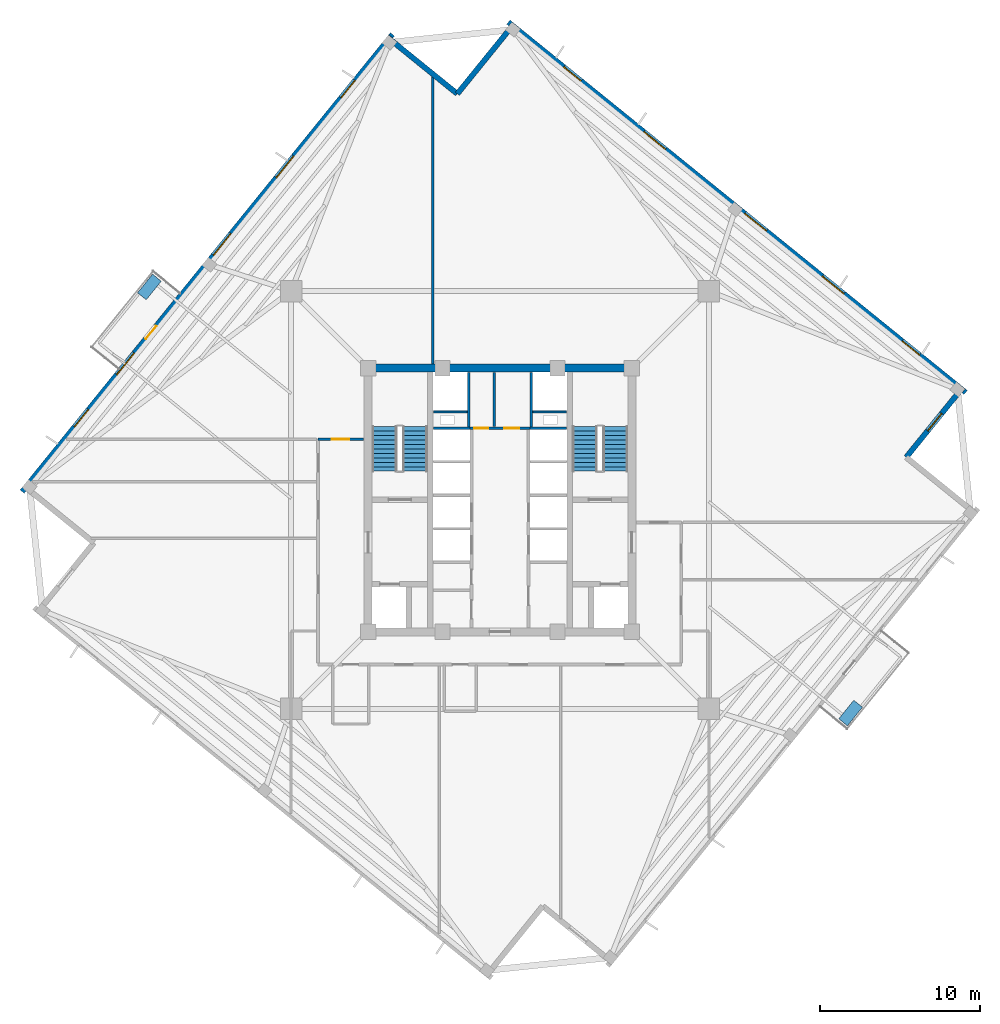
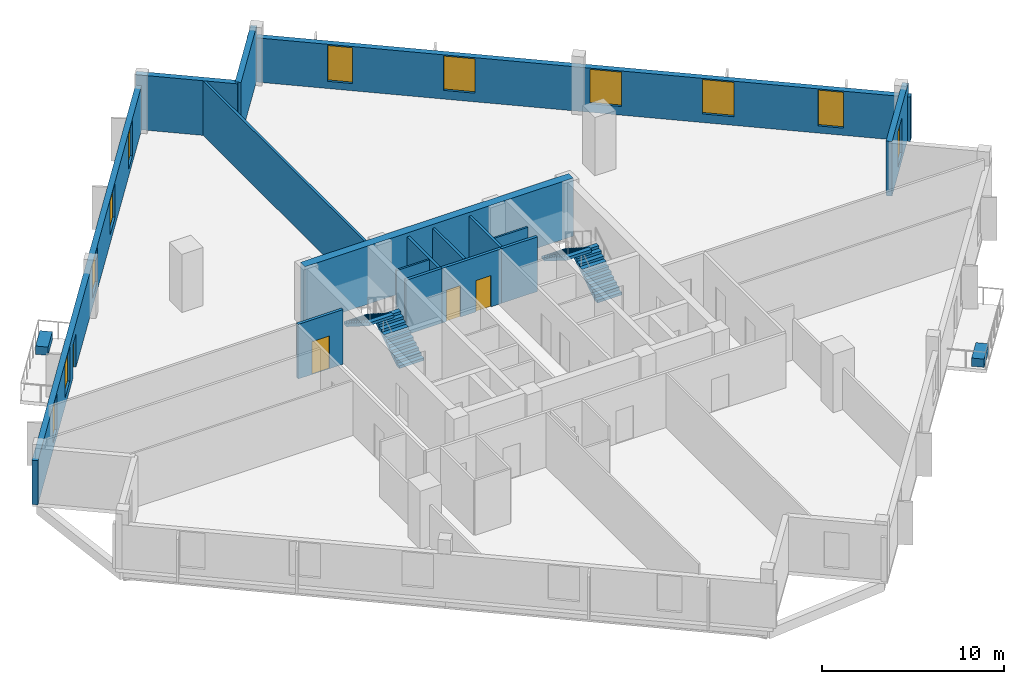
# One storey, part 5 of 9: 16 walls, 11 windows, 4 doors, 4 stair flights, 2 discrete accessories, 15 openings, 2 elements without a shape of their own.
"""IFC4 building model written with IfcOpenShell, lengths in metres."""

import ifcopenshell
import ifcopenshell.guid

model = None  # the IFC model being written
_history = None  # IfcOwnerHistory: only IFC2X3 demands one
_inside = {}  # id of a spatial element -> (the spatial element, [elements in it])
_under = {}  # id of a project, library or spatial element -> (it, [spatial elements below it])
_declared = {}  # id of a project -> (the project, [libraries it declares])
_typed = {}  # id of a type object -> (the type object, [elements of that type])
_made_of = {}  # id of a material, layer set ... -> (it, [elements and type objects made of it])


def new_model(schema):
    """Start an empty IFC model of exactly this schema.

    Asked for "IFC4X3", IfcOpenShell would pick the latest addendum, in which some entities
    have other attributes; the version numbers below select the first issue.
    IFC2X3 requires an IfcOwnerHistory on every rooted entity: one is made here for all.
    """
    global model, _history
    if schema == "IFC4X3":
        model = ifcopenshell.file(schema_version=(4, 3, 0, 0))
    else:
        model = ifcopenshell.file(schema=schema)
    _inside.clear()
    _under.clear()
    _declared.clear()
    _typed.clear()
    _made_of.clear()
    _history = None
    if model.schema == "IFC2X3":
        org = make("IfcOrganization", Name="unknown")
        user = make(
            "IfcPersonAndOrganization",
            ThePerson=make("IfcPerson", FamilyName="unknown"),
            TheOrganization=org,
        )
        app = make(
            "IfcApplication",
            ApplicationDeveloper=org,
            Version="unknown",
            ApplicationFullName="unknown",
            ApplicationIdentifier="unknown",
        )
        _history = make(
            "IfcOwnerHistory",
            OwningUser=user,
            OwningApplication=app,
            ChangeAction="ADDED",
            CreationDate=0,
        )
    return model


def make(cls, **values):
    """One entity of the class cls with the attributes given. An attribute that is None is left unset."""
    return model.create_entity(
        cls, **{name: value for name, value in values.items() if value is not None}
    )


def rooted(cls, **values):
    """An entity with a GlobalId (a new one), such as an element, a storey or a relation."""
    return make(cls, GlobalId=ifcopenshell.guid.new(), OwnerHistory=_history, **values)


def si_unit(unit_type, name, prefix=None):
    """IfcSIUnit, for example si_unit("LENGTHUNIT", "METRE", prefix="MILLI")."""
    return make("IfcSIUnit", UnitType=unit_type, Prefix=prefix, Name=name)


def assignment(units):
    """IfcUnitAssignment: the units of a project."""
    return None if units is None else make("IfcUnitAssignment", Units=units)


def point(xyz):
    """IfcCartesianPoint."""
    return None if xyz is None else make("IfcCartesianPoint", Coordinates=xyz)


def direction(xyz):
    """IfcDirection."""
    return None if xyz is None else make("IfcDirection", DirectionRatios=xyz)


def frame(location, z_axis=None, x_axis=None):
    """IfcAxis2Placement3D, a coordinate frame: its origin and axes. An axis left out is left unset."""
    return make(
        "IfcAxis2Placement3D",
        Location=point(location),
        Axis=direction(z_axis),
        RefDirection=direction(x_axis),
    )


def frame_2d(location, x_axis=None):
    """IfcAxis2Placement2D, a coordinate frame in the plane: its origin and x axis."""
    return make(
        "IfcAxis2Placement2D", Location=point(location), RefDirection=direction(x_axis)
    )


def origin():
    """The frame at (0, 0, 0) with its axes left unset."""
    return frame((0.0, 0.0, 0.0))


def origin_2d():
    """The frame at (0, 0) in the plane with its x axis left unset."""
    return frame_2d((0.0, 0.0))


def place(relative_to, where):
    """IfcLocalPlacement: puts the frame where relative to a parent placement (None: the world)."""
    return make(
        "IfcLocalPlacement", PlacementRelTo=relative_to, RelativePlacement=where
    )


def context(
    kind, dimensions, precision=None, world=None, true_north=None, identifier=None
):
    """IfcGeometricRepresentationContext, for example the 3D "Model" context."""
    return make(
        "IfcGeometricRepresentationContext",
        ContextIdentifier=identifier,
        ContextType=kind,
        CoordinateSpaceDimension=dimensions,
        Precision=precision,
        WorldCoordinateSystem=world,
        TrueNorth=true_north,
    )


def subcontext(parent, identifier, kind, view, scale=None):
    """IfcGeometricRepresentationSubContext, for example "Body" below "Model"."""
    return make(
        "IfcGeometricRepresentationSubContext",
        ContextIdentifier=identifier,
        ContextType=kind,
        ParentContext=parent,
        TargetScale=scale,
        TargetView=view,
    )


def project(units=None, contexts=None):
    """IfcProject with its units and contexts."""
    return rooted(
        "IfcProject",
        Name="project",
        RepresentationContexts=contexts,
        UnitsInContext=assignment(units),
    )


def spatial(cls, under=None, at=None, **own):
    """A site, building, storey or space (cls), placed at a placement, below another one or the project."""
    s = rooted(cls, ObjectPlacement=at, **own)
    if under is not None:
        _under.setdefault(under.id(), (under, []))[1].append(s)
    return s


def polyline(points):
    """IfcPolyline through the points."""
    return make("IfcPolyline", Points=[point(p) for p in points])


def profile(cls, at=None, kind="AREA", **sizes):
    """A parametric profile (cls). Its sizes go by their IFC names, for example OverallWidth=200.0."""
    return make(cls, ProfileType=kind, Position=at, **sizes)


def rectangle(**sizes):
    """IfcRectangleProfileDef."""
    return profile("IfcRectangleProfileDef", **sizes)


def outline(outer, holes=None, kind="AREA"):
    """IfcArbitraryClosedProfileDef: a profile drawn as a closed curve; with holes, ...WithVoids."""
    if holes is None:
        return make("IfcArbitraryClosedProfileDef", ProfileType=kind, OuterCurve=outer)
    return make(
        "IfcArbitraryProfileDefWithVoids",
        ProfileType=kind,
        OuterCurve=outer,
        InnerCurves=holes,
    )


def extrude(swept, where, along, depth):
    """IfcExtrudedAreaSolid: the profile swept, set in the frame where, extruded along a direction by depth."""
    return make(
        "IfcExtrudedAreaSolid",
        SweptArea=swept,
        Position=where,
        ExtrudedDirection=direction(along),
        Depth=depth,
    )


def shape(context_of_items, identifier, shape_type, items):
    """IfcShapeRepresentation: the items that make up one representation, for example the "Body"."""
    return make(
        "IfcShapeRepresentation",
        ContextOfItems=context_of_items,
        RepresentationIdentifier=identifier,
        RepresentationType=shape_type,
        Items=items,
    )


def source(mapping_origin, context_of_items, identifier, shape_type, items):
    """IfcRepresentationMap: a shape defined once, which mapped items show again and again."""
    return make(
        "IfcRepresentationMap",
        MappingOrigin=mapping_origin,
        MappedRepresentation=shape(context_of_items, identifier, shape_type, items),
    )


def transform(
    local_origin,
    x_axis=None,
    y_axis=None,
    z_axis=None,
    scale=None,
    scale2=None,
    scale3=None,
    uniform=True,
):
    """IfcCartesianTransformationOperator3D, or its non-uniform kind. x_axis, y_axis, z_axis: its Axis1, 2, 3."""
    if uniform:
        return make(
            "IfcCartesianTransformationOperator3D",
            Axis1=direction(x_axis),
            Axis2=direction(y_axis),
            LocalOrigin=point(local_origin),
            Scale=scale,
            Axis3=direction(z_axis),
        )
    return make(
        "IfcCartesianTransformationOperator3DnonUniform",
        Axis1=direction(x_axis),
        Axis2=direction(y_axis),
        LocalOrigin=point(local_origin),
        Scale=scale,
        Axis3=direction(z_axis),
        Scale2=scale2,
        Scale3=scale3,
    )


def mapped(mapping_source, mapping_target):
    """IfcMappedItem: shows the shape of a source again, moved by a transform."""
    return make(
        "IfcMappedItem", MappingSource=mapping_source, MappingTarget=mapping_target
    )


def material(Name=None, Category=None):
    """IfcMaterial."""
    return make("IfcMaterial", Name=Name, Category=Category)


def layer(
    of_material, thickness, ventilated=None, Name=None, Category=None, Priority=None
):
    """IfcMaterialLayer: one layer of a wall or slab, of a material (None: an air gap)."""
    return make(
        "IfcMaterialLayer",
        Material=of_material,
        LayerThickness=thickness,
        IsVentilated=ventilated,
        Name=Name,
        Category=Category,
        Priority=Priority,
    )


def layer_set(layers, Name=None):
    """IfcMaterialLayerSet."""
    return make("IfcMaterialLayerSet", MaterialLayers=layers, LayerSetName=Name)


def made_of(thing, what):
    """Note that an element or type object is made of a material, layer set ...; save() writes the relation."""
    if what is not None:
        _made_of.setdefault(what.id(), (what, []))[1].append(thing)
    return thing


def type_object(cls, material=None, **own):
    """A type object (cls), such as IfcWallType, which elements share."""
    return made_of(rooted(cls, **own), material)


def element(
    cls,
    number,
    at=None,
    inside=None,
    cuts=None,
    type_object=None,
    material=None,
    context=None,
    identifier="Body",
    shape_type=None,
    held_by="IfcProductDefinitionShape",
    body=None,
    shapes=None,
    **own,
):
    """One element of the class cls, such as IfcWall. Its Tag is "e" and its number.

    at: its placement. inside: the storey or other place that contains it. cuts: it is an
    opening in that element (IfcRelVoidsElement). A single representation is given by context,
    identifier, shape_type and body (its items); several are given by shapes. held_by: the class
    of the entity that holds the representations. save() writes the other relations.
    """
    e = rooted(cls, Tag="e%d" % number, ObjectPlacement=at, **own)
    if body is not None:
        shapes = [shape(context, identifier, shape_type, body)]
    if shapes is not None:
        e.Representation = make(held_by, Representations=shapes)
    if inside is not None:
        _inside.setdefault(inside.id(), (inside, []))[1].append(e)
    if cuts is not None:
        rooted(
            "IfcRelVoidsElement", RelatingBuildingElement=cuts, RelatedOpeningElement=e
        )
    if type_object is not None:
        _typed.setdefault(type_object.id(), (type_object, []))[1].append(e)
    return made_of(e, material)


def fill(opening, filler):
    """IfcRelFillsElement: the door or window that sits in an opening."""
    return rooted(
        "IfcRelFillsElement",
        RelatingOpeningElement=opening,
        RelatedBuildingElement=filler,
    )


def aggregate(whole, parts):
    """IfcRelAggregates: a whole, such as a stair, and the parts it consists of."""
    return rooted("IfcRelAggregates", RelatingObject=whole, RelatedObjects=parts)


def save(model, path):
    """Write the relations noted so far, then the file.

    IfcRelAggregates (storeys below a building ...), IfcRelContainedInSpatialStructure (elements
    in a storey), IfcRelDefinesByType, IfcRelAssociatesMaterial and IfcRelDeclares: one each for
    every whole, place, type object, material and project.
    """
    for whole, parts in _under.values():
        aggregate(whole, parts)
    for where, things in _inside.values():
        rooted(
            "IfcRelContainedInSpatialStructure",
            RelatedElements=things,
            RelatingStructure=where,
        )
    for kind, things in _typed.values():
        rooted("IfcRelDefinesByType", RelatedObjects=things, RelatingType=kind)
    for what, things in _made_of.values():
        rooted("IfcRelAssociatesMaterial", RelatedObjects=things, RelatingMaterial=what)
    for by, libraries in _declared.values():
        rooted("IfcRelDeclares", RelatingContext=by, RelatedDefinitions=libraries)
    model.write(path)


model = new_model("IFC4")

# Units and contexts
model_context = context("Model", 3, precision=1e-05, world=origin(), true_north=direction((0.0, 1.0)))
body_context = subcontext(model_context, "Body", "Model", "MODEL_VIEW")
ifc_project = project(units=[si_unit("LENGTHUNIT", "METRE"), si_unit("AREAUNIT", "SQUARE_METRE"), si_unit("VOLUMEUNIT", "CUBIC_METRE"), si_unit("PLANEANGLEUNIT", "RADIAN"), si_unit("MASSUNIT", "GRAM", prefix="KILO"), si_unit("THERMODYNAMICTEMPERATUREUNIT", "KELVIN")], contexts=[model_context])

# Site, building, storey
site_placement = place(None, origin())
site = spatial("IfcSite", under=ifc_project, at=site_placement, CompositionType="ELEMENT")
building_placement = place(site_placement, origin())
building = spatial("IfcBuilding", under=site, at=building_placement, Name="Kosmvard Interchange Tower", CompositionType="ELEMENT")
storey_placement = place(building_placement, frame((0.0, 0.0, 221.199951171875)))
storey = spatial("IfcBuildingStorey", under=building, at=storey_placement, Name="L53", CompositionType="ELEMENT", Elevation=221.199951171875)

# Walls
ifc_material_1 = material(Name="Acoustic gypsum partition system")
ifc_layer_1 = layer(ifc_material_1, 0.14990234375, Name="Acoustic gypsum partition system")
ifc_layer_set_1 = layer_set([ifc_layer_1], Name="Acoustic gypsum partition system")
wall_type_1 = type_object("IfcWallType", Name="Acoustic Suite & Meeting Partition 150", PredefinedType="PARTITIONING", material=ifc_layer_set_1)
wall_1_placement = place(storey_placement, frame((-4.199951171875, 8.5048828125, 0.0), z_axis=(0.0, 0.0, 1.0), x_axis=(0.0, 1.0, 0.0)))
element("IfcWall", 1, at=wall_1_placement, inside=storey, type_object=wall_type_1, Name="L53 Room Partition 01.1", PredefinedType="PARTITIONING", context=body_context, shape_type="SweptSolid", body=[
    extrude(rectangle(XDim=18.025634765625, YDim=0.14990234375, at=frame_2d((9.0126953125, 0.0))), origin(), (0.0, 0.0, 1.0), 3.66015625),
])
ifc_material_2 = material(Name="Fire-rated gypsum partition system")
ifc_layer_2 = layer(ifc_material_2, 0.159912109375, Name="Fire-rated gypsum partition system")
ifc_layer_set_2 = layer_set([ifc_layer_2], Name="Fire-rated gypsum partition system")
wall_type_2 = type_object("IfcWallType", Name="Core Compartment & Shuttle Lobby Partition 160", PredefinedType="PARTITIONING", material=ifc_layer_set_2)
for number, where, z_axis, x_axis, name in (
    (2, (-1.9599609375, 4.580078125, 0.0), (0.0, 0.0, 1.0), (0.0, 1.0, 0.0), "L53 North Core West Wall"),
    (3, (1.9599609375, 4.580078125, 0.0), (0.0, 0.0, 1.0), (0.0, 1.0, 0.0), "L53 North Core East Wall"),
):
    element("IfcWall", number, at=place(storey_placement, frame(where, z_axis=z_axis, x_axis=x_axis)), inside=storey, type_object=wall_type_2, Name=name, PredefinedType="PARTITIONING", context=body_context, shape_type="SweptSolid", body=[
        extrude(rectangle(XDim=3.39990234375, YDim=0.159912109375, at=frame_2d((1.699951171875, 0.0))), origin(), (0.0, 0.0, 1.0), 3.66015625),
    ])
ifc_material_3 = material(Name="Concrete blockwork masonry", Category="masonry")
ifc_layer_3 = layer(ifc_material_3, 0.159912109375, Name="Concrete blockwork masonry")
ifc_layer_set_3 = layer_set([ifc_layer_3], Name="Concrete blockwork masonry")
wall_type_3 = type_object("IfcWallType", Name="Core Enclosure Split Wall 160", PredefinedType="PARTITIONING", material=ifc_layer_set_3)
wall_2_placement = place(storey_placement, frame((-0.35009765625, 4.60009765625, 0.0), z_axis=(0.0, 0.0, 1.0), x_axis=(0.0, 1.0, 0.0)))
element("IfcWall", 4, at=wall_2_placement, inside=storey, type_object=wall_type_3, Name="L53 Core K2 Split Wall", PredefinedType="PARTITIONING", context=body_context, shape_type="SweptSolid", body=[
    extrude(rectangle(XDim=3.3798828125, YDim=0.159912109375, at=frame_2d((1.68994140625, 0.0))), origin(), (0.0, 0.0, 1.0), 3.66015625),
])

# Wall, openings, doors
ifc_layer_4 = layer(ifc_material_2, 0.179931640625, Name="Fire-rated gypsum partition system")
ifc_layer_set_4 = layer_set([ifc_layer_4], Name="Fire-rated gypsum partition system")
wall_type_4 = type_object("IfcWallType", Name="Corridor & Hotel Compartment Partition 180", PredefinedType="PARTITIONING", material=ifc_layer_set_4)
wall_3_placement = place(storey_placement, frame((-1.8798828125, 4.489990234375, 0.0), z_axis=(0.0, 0.0, 1.0), x_axis=(1.0, 0.0, 0.0)))
wall_3 = element("IfcWall", 5, at=wall_3_placement, inside=storey, type_object=wall_type_4, Name="L53 Lift Lobby North Partition", PredefinedType="PARTITIONING", context=body_context, shape_type="SweptSolid", body=[
    extrude(rectangle(XDim=3.759765625, YDim=0.179931640625, at=frame_2d((1.8798828125, 0.0))), origin(), (0.0, 0.0, 1.0), 3.66015625),
])
opening_1_placement = place(wall_3_placement, frame((0.280029296875, 0.0, 0.0)))
opening_1 = element("IfcOpeningElement", 6, at=opening_1_placement, cuts=wall_3, Name="Opening L53-KD1", PredefinedType="OPENING", context=body_context, shape_type="SweptSolid", body=[
    extrude(rectangle(XDim=0.8798828125, YDim=2.10009765625, at=frame_2d((0.43994140625, 1.050048828125))), frame((0.0, 0.10009765625, 0.0), z_axis=(0.0, -1.0, 0.0), x_axis=(1.0, 0.0, 0.0)), (0.0, 0.0, 1.0), 0.199951171875),
])
opening_2_placement = place(wall_3_placement, frame((2.14990234375, 0.0, 0.0)))
opening_2 = element("IfcOpeningElement", 7, at=opening_2_placement, cuts=wall_3, Name="Opening L53-KD2", PredefinedType="OPENING", context=body_context, shape_type="SweptSolid", body=[
    extrude(rectangle(XDim=0.949951171875, YDim=2.10009765625, at=frame_2d((0.47509765625, 1.050048828125))), frame((0.0, 0.10009765625, 0.0), z_axis=(0.0, -1.0, 0.0), x_axis=(1.0, 0.0, 0.0)), (0.0, 0.0, 1.0), 0.199951171875),
])
ifc_material_4 = material(Name="Painted fire-rated timber leaf", Category="wood")
door_type_1 = type_object("IfcDoorType", Name="Core Service Fire Door 950x2100 EI30", OperationType="NOTDEFINED", PredefinedType="DOOR", material=ifc_material_4)
shared_shape_1 = source(origin(), body_context, "Body", "SweptSolid", [
    extrude(rectangle(XDim=0.949951171875, YDim=2.10009765625, at=frame_2d((0.47509765625, 1.050048828125))), frame((0.0, 0.02490234375, 0.0), z_axis=(0.0, -1.0, 0.0), x_axis=(1.0, 0.0, 0.0)), (0.0, 0.0, 1.0), 0.050048828125),
])
door_1_placement = place(opening_2_placement, origin())
door_1 = element("IfcDoor", 8, at=door_1_placement, inside=storey, type_object=door_type_1, Name="L53 Core Tea Pantry Door", OperationType="SINGLE_SWING_RIGHT", OverallHeight=2.10009765625, OverallWidth=0.949951171875, PredefinedType="DOOR", context=body_context, shape_type="MappedRepresentation", body=[
    mapped(shared_shape_1, transform((0.0, 0.0, 0.0), scale=1.0)),
])
fill(opening_2, door_1)
door_type_2 = type_object("IfcDoorType", Name="Core Cupboard Fire Door 880x2100 EI30", OperationType="NOTDEFINED", PredefinedType="DOOR", material=ifc_material_4)
shared_shape_2 = source(origin(), body_context, "Body", "SweptSolid", [
    extrude(rectangle(XDim=0.8798828125, YDim=2.10009765625, at=frame_2d((0.43994140625, 1.050048828125))), frame((0.0, 0.02490234375, 0.0), z_axis=(0.0, -1.0, 0.0), x_axis=(1.0, 0.0, 0.0)), (0.0, 0.0, 1.0), 0.050048828125),
])
door_2_placement = place(opening_1_placement, origin())
door_2 = element("IfcDoor", 9, at=door_2_placement, inside=storey, type_object=door_type_2, Name="L53 Core Cleaner Cupboard Door", OperationType="SINGLE_SWING_LEFT", OverallHeight=2.10009765625, OverallWidth=0.8798828125, PredefinedType="DOOR", context=body_context, shape_type="MappedRepresentation", body=[
    mapped(shared_shape_2, transform((0.0, 0.0, 0.0), scale=1.0)),
])
fill(opening_1, door_2)

# Wall, opening, door
wall_4_placement = place(storey_placement, frame((-11.39990234375, 3.800048828125, 0.0), z_axis=(0.0, 0.0, 1.0), x_axis=(1.0, 0.0, 0.0)))
wall_4 = element("IfcWall", 10, at=wall_4_placement, inside=storey, type_object=wall_type_4, Name="L53 Corridor Wall CNW", PredefinedType="PARTITIONING", context=body_context, shape_type="SweptSolid", body=[
    extrude(rectangle(XDim=2.849853515625, YDim=0.179931640625, at=frame_2d((1.4248046875, 0.0))), origin(), (0.0, 0.0, 1.0), 3.66015625),
])
opening_3_placement = place(wall_4_placement, frame((0.875, 0.0, 0.0)))
opening_3 = element("IfcOpeningElement", 11, at=opening_3_placement, cuts=wall_4, Name="Opening L53-D04", PredefinedType="OPENING", context=body_context, shape_type="SweptSolid", body=[
    extrude(rectangle(XDim=1.10009765625, YDim=2.199951171875, at=frame_2d((0.550048828125, 1.10009765625))), frame((0.0, 0.10009765625, 0.0), z_axis=(0.0, -1.0, 0.0), x_axis=(1.0, 0.0, 0.0)), (0.0, 0.0, 1.0), 0.199951171875),
])
ifc_material_5 = material(Name="Engineered oak fire-rated timber", Category="wood")
door_type_3 = type_object("IfcDoorType", Name="Office Suite Entrance Door 1100x2200 FD30S", OperationType="NOTDEFINED", PredefinedType="DOOR", material=ifc_material_5)
shared_shape_3 = source(origin(), body_context, "Body", "SweptSolid", [
    extrude(rectangle(XDim=1.10009765625, YDim=2.199951171875, at=frame_2d((0.550048828125, 1.10009765625))), frame((0.0, 0.02490234375, 0.0), z_axis=(0.0, -1.0, 0.0), x_axis=(1.0, 0.0, 0.0)), (0.0, 0.0, 1.0), 0.050048828125),
])
door_3_placement = place(opening_3_placement, origin())
door_3 = element("IfcDoor", 12, at=door_3_placement, inside=storey, type_object=door_type_3, Name="L53 Sky Business Members Club Door", OperationType="SINGLE_SWING_RIGHT", OverallHeight=2.199951171875, OverallWidth=1.10009765625, PredefinedType="DOOR", context=body_context, shape_type="MappedRepresentation", body=[
    mapped(shared_shape_3, transform((0.0, 0.0, 0.0), scale=1.0)),
])
fill(opening_3, door_3)

# Wall, opening, window
ifc_material_6 = material(Name="Precast concrete C45/55", Category="concrete")
ifc_layer_5 = layer(ifc_material_6, 0.340087890625, Name="Precast concrete C45/55")
ifc_layer_set_5 = layer_set([ifc_layer_5], Name="Precast concrete C45/55")
wall_type_5 = type_object("IfcWallType", Name="Mid Tower Precast Pier Wall 340 C45/55", PredefinedType="STANDARD", material=ifc_layer_set_5)
wall_5_placement = place(storey_placement, frame((25.428955078125, 2.672607421875, 0.0), z_axis=(0.0, 0.0, 1.0), x_axis=(0.629299794138, 0.777162640055, 0.0)))
wall_5 = element("IfcWall", 13, at=wall_5_placement, inside=storey, type_object=wall_type_5, Name="L53 Precast Facade Wall N-SE2", PredefinedType="STANDARD", context=body_context, shape_type="SweptSolid", body=[
    extrude(rectangle(XDim=5.669921875, YDim=0.340087890625, at=frame_2d((2.8349609375, 0.0))), origin(), (0.0, 0.0, 1.0), 3.66015625),
])
opening_4_placement = place(wall_5_placement, frame((2.135009765625, 0.0, 0.47998046875)))
opening_4 = element("IfcOpeningElement", 14, at=opening_4_placement, cuts=wall_5, Name="Opening L53-W21", PredefinedType="OPENING", context=body_context, shape_type="SweptSolid", body=[
    extrude(rectangle(XDim=1.39990234375, YDim=2.39990234375, at=frame_2d((0.699951171875, 1.199951171875))), frame((0.0, 0.18017578125, 0.0), z_axis=(0.0, -1.0, 0.0), x_axis=(1.0, 0.0, 0.0)), (0.0, 0.0, 1.0), 0.360107421875),
])
ifc_material_7 = material(Name="Low-E solar-control double glazing", Category="glass")
window_type_1 = type_object("IfcWindowType", Name="Notched Corner Feature Window 1400x2400", PartitioningType="SINGLE_PANEL", PredefinedType="WINDOW", material=ifc_material_7)
shared_shape_4 = source(origin(), body_context, "Body", "SweptSolid", [
    extrude(rectangle(XDim=1.39990234375, YDim=2.39990234375, at=frame_2d((0.699951171875, 1.199951171875))), frame((0.0, 0.030029296875, 0.0), z_axis=(0.0, -1.0, 0.0), x_axis=(1.0, 0.0, 0.0)), (0.0, 0.0, 1.0), 0.06005859375),
])
window_1_placement = place(opening_4_placement, origin())
window_1 = element("IfcWindow", 15, at=window_1_placement, inside=storey, type_object=window_type_1, Name="L53 Corner Notch Window 21", OverallHeight=2.39990234375, OverallWidth=1.39990234375, PartitioningType="SINGLE_PANEL", PredefinedType="WINDOW", context=body_context, shape_type="MappedRepresentation", body=[
    mapped(shared_shape_4, transform((0.0, 0.0, 0.0), scale=1.0)),
])
fill(opening_4, window_1)

# Wall, openings, windows
wall_6_placement = place(storey_placement, frame((29.154296875, 6.73291015625, 0.0), z_axis=(0.0, 0.0, 1.0), x_axis=(-0.77714192302, 0.629325378072, 0.0)))
wall_6 = element("IfcWall", 16, at=wall_6_placement, inside=storey, type_object=wall_type_5, Name="L53 Precast Facade Wall F-E", PredefinedType="STANDARD", context=body_context, shape_type="SweptSolid", body=[
    extrude(rectangle(XDim=36.840087890625, YDim=0.340087890625, at=frame_2d((18.419921875, 0.0))), origin(), (0.0, 0.0, 1.0), 2.9599609375),
])
opening_5_placement = place(wall_6_placement, frame((3.720703125, 0.0, 0.47998046875)))
opening_5 = element("IfcOpeningElement", 17, at=opening_5_placement, cuts=wall_6, Name="Opening L53-W06", PredefinedType="OPENING", context=body_context, shape_type="SweptSolid", body=[
    extrude(rectangle(XDim=1.39990234375, YDim=2.39990234375, at=frame_2d((0.699951171875, 1.199951171875))), frame((0.0, 0.18017578125, 0.0), z_axis=(0.0, -1.0, 0.0), x_axis=(1.0, 0.0, 0.0)), (0.0, 0.0, 1.0), 0.360107421875),
])
opening_6_placement = place(wall_6_placement, frame((9.80859375, 0.0, 0.580078125)))
opening_6 = element("IfcOpeningElement", 18, at=opening_6_placement, cuts=wall_6, Name="Opening L53-W07", PredefinedType="OPENING", context=body_context, shape_type="SweptSolid", body=[
    extrude(rectangle(XDim=1.75, YDim=2.300048828125, at=frame_2d((0.875, 1.14990234375))), frame((0.0, 0.18017578125, 0.0), z_axis=(0.0, -1.0, 0.0), x_axis=(1.0, 0.0, 0.0)), (0.0, 0.0, 1.0), 0.360107421875),
])
opening_7_placement = place(wall_6_placement, frame((16.05810546875, 0.0, 0.580078125)))
opening_7 = element("IfcOpeningElement", 19, at=opening_7_placement, cuts=wall_6, Name="Opening L53-W08", PredefinedType="OPENING", context=body_context, shape_type="SweptSolid", body=[
    extrude(rectangle(XDim=1.75, YDim=2.300048828125, at=frame_2d((0.875, 1.14990234375))), frame((0.0, 0.18017578125, 0.0), z_axis=(0.0, -1.0, 0.0), x_axis=(1.0, 0.0, 0.0)), (0.0, 0.0, 1.0), 0.360107421875),
])
opening_8_placement = place(wall_6_placement, frame((24.17626953125, 0.0, 0.580078125)))
opening_8 = element("IfcOpeningElement", 20, at=opening_8_placement, cuts=wall_6, Name="Opening L53-W09", PredefinedType="OPENING", context=body_context, shape_type="SweptSolid", body=[
    extrude(rectangle(XDim=1.75, YDim=2.300048828125, at=frame_2d((0.875, 1.14990234375))), frame((0.0, 0.18017578125, 0.0), z_axis=(0.0, -1.0, 0.0), x_axis=(1.0, 0.0, 0.0)), (0.0, 0.0, 1.0), 0.360107421875),
])
opening_9_placement = place(wall_6_placement, frame((30.982421875, 0.0, 0.47998046875)))
opening_9 = element("IfcOpeningElement", 21, at=opening_9_placement, cuts=wall_6, Name="Opening L53-W10", PredefinedType="OPENING", context=body_context, shape_type="SweptSolid", body=[
    extrude(rectangle(XDim=1.39990234375, YDim=2.39990234375, at=frame_2d((0.699951171875, 1.199951171875))), frame((0.0, 0.18017578125, 0.0), z_axis=(0.0, -1.0, 0.0), x_axis=(1.0, 0.0, 0.0)), (0.0, 0.0, 1.0), 0.360107421875),
])
window_2_placement = place(opening_5_placement, origin())
window_2 = element("IfcWindow", 22, at=window_2_placement, inside=storey, type_object=window_type_1, Name="L53 Facade Punched Window 06", OverallHeight=2.39990234375, OverallWidth=1.39990234375, PartitioningType="SINGLE_PANEL", PredefinedType="WINDOW", context=body_context, shape_type="MappedRepresentation", body=[
    mapped(shared_shape_4, transform((0.0, 0.0, 0.0), scale=1.0)),
])
fill(opening_5, window_2)
window_3_placement = place(opening_9_placement, origin())
window_3 = element("IfcWindow", 23, at=window_3_placement, inside=storey, type_object=window_type_1, Name="L53 Facade Punched Window 10", OverallHeight=2.39990234375, OverallWidth=1.39990234375, PartitioningType="SINGLE_PANEL", PredefinedType="WINDOW", context=body_context, shape_type="MappedRepresentation", body=[
    mapped(shared_shape_4, transform((0.0, 0.0, 0.0), scale=1.0)),
])
fill(opening_9, window_3)
window_type_2 = type_object("IfcWindowType", Name="Zone 4 Suite Punched Window 1750x2300", PartitioningType="SINGLE_PANEL", PredefinedType="WINDOW", material=ifc_material_7)
shared_shape_5 = source(origin(), body_context, "Body", "SweptSolid", [
    extrude(rectangle(XDim=1.75, YDim=2.300048828125, at=frame_2d((0.875, 1.14990234375))), frame((0.0, 0.030029296875, 0.0), z_axis=(0.0, -1.0, 0.0), x_axis=(1.0, 0.0, 0.0)), (0.0, 0.0, 1.0), 0.06005859375),
])
window_4_placement = place(opening_6_placement, origin())
window_4 = element("IfcWindow", 24, at=window_4_placement, inside=storey, type_object=window_type_2, Name="L53 Facade Punched Window 07", OverallHeight=2.300048828125, OverallWidth=1.75, PartitioningType="SINGLE_PANEL", PredefinedType="WINDOW", context=body_context, shape_type="MappedRepresentation", body=[
    mapped(shared_shape_5, transform((0.0, 0.0, 0.0), scale=1.0)),
])
fill(opening_6, window_4)
window_5_placement = place(opening_7_placement, origin())
window_5 = element("IfcWindow", 25, at=window_5_placement, inside=storey, type_object=window_type_2, Name="L53 Facade Punched Window 08", OverallHeight=2.300048828125, OverallWidth=1.75, PartitioningType="SINGLE_PANEL", PredefinedType="WINDOW", context=body_context, shape_type="MappedRepresentation", body=[
    mapped(shared_shape_5, transform((0.0, 0.0, 0.0), scale=1.0)),
])
fill(opening_7, window_5)
window_6_placement = place(opening_8_placement, origin())
window_6 = element("IfcWindow", 26, at=window_6_placement, inside=storey, type_object=window_type_2, Name="L53 Facade Punched Window 09", OverallHeight=2.300048828125, OverallWidth=1.75, PartitioningType="SINGLE_PANEL", PredefinedType="WINDOW", context=body_context, shape_type="MappedRepresentation", body=[
    mapped(shared_shape_5, transform((0.0, 0.0, 0.0), scale=1.0)),
])
fill(opening_8, window_6)

# Walls
wall_7_placement = place(storey_placement, frame((0.78857421875, 29.703125, 0.0), z_axis=(0.0, 0.0, 1.0), x_axis=(-0.629323365087, -0.77714355312, 0.0)))
element("IfcWall", 27, at=wall_7_placement, inside=storey, type_object=wall_type_5, Name="L53 Precast Facade Wall N-NE1", PredefinedType="STANDARD", context=body_context, shape_type="SweptSolid", body=[
    extrude(rectangle(XDim=5.499755859375, YDim=0.340087890625, at=frame_2d((2.75, 0.0))), origin(), (0.0, 0.0, 1.0), 3.66015625),
])
wall_8_placement = place(storey_placement, frame((-2.672607421875, 25.428955078125, 0.0), z_axis=(0.0, 0.0, 1.0), x_axis=(-0.777162640055, 0.629299794138, 0.0)))
element("IfcWall", 28, at=wall_8_placement, inside=storey, type_object=wall_type_5, Name="L53 Precast Facade Wall N-NE2", PredefinedType="STANDARD", context=body_context, shape_type="SweptSolid", body=[
    extrude(rectangle(XDim=5.669921875, YDim=0.340087890625, at=frame_2d((2.8349609375, 0.0))), origin(), (0.0, 0.0, 1.0), 3.66015625),
])

# Wall, openings, door, windows
wall_9_placement = place(storey_placement, frame((-6.73291015625, 29.154296875, 0.0), z_axis=(0.0, 0.0, 1.0), x_axis=(-0.629325378072, -0.77714192302, 0.0)))
wall_9 = element("IfcWall", 29, at=wall_9_placement, inside=storey, type_object=wall_type_5, Name="L53 Precast Facade Wall F-N", PredefinedType="STANDARD", context=body_context, shape_type="SweptSolid", body=[
    extrude(rectangle(XDim=36.840087890625, YDim=0.340087890625, at=frame_2d((18.419921875, 0.0))), origin(), (0.0, 0.0, 1.0), 2.9599609375),
])
opening_10_placement = place(wall_9_placement, frame((23.4951171875, 0.0, 0.0)))
opening_10 = element("IfcOpeningElement", 30, at=opening_10_placement, cuts=wall_9, Name="Opening L53-BDE", PredefinedType="OPENING", context=body_context, shape_type="SweptSolid", body=[
    extrude(rectangle(XDim=1.050048828125, YDim=2.25, at=frame_2d((0.52490234375, 1.125))), frame((0.0, 0.18017578125, 0.0), z_axis=(0.0, -1.0, 0.0), x_axis=(1.0, 0.0, 0.0)), (0.0, 0.0, 1.0), 0.360107421875),
])
opening_11_placement = place(wall_9_placement, frame((3.720703125, 0.0, 0.47998046875)))
opening_11 = element("IfcOpeningElement", 31, at=opening_11_placement, cuts=wall_9, Name="Opening L53-W11", PredefinedType="OPENING", context=body_context, shape_type="SweptSolid", body=[
    extrude(rectangle(XDim=1.39990234375, YDim=2.39990234375, at=frame_2d((0.699951171875, 1.199951171875))), frame((0.0, 0.18017578125, 0.0), z_axis=(0.0, -1.0, 0.0), x_axis=(1.0, 0.0, 0.0)), (0.0, 0.0, 1.0), 0.360107421875),
])
opening_12_placement = place(wall_9_placement, frame((9.80859375, 0.0, 0.580078125)))
opening_12 = element("IfcOpeningElement", 32, at=opening_12_placement, cuts=wall_9, Name="Opening L53-W12", PredefinedType="OPENING", context=body_context, shape_type="SweptSolid", body=[
    extrude(rectangle(XDim=1.75, YDim=2.300048828125, at=frame_2d((0.875, 1.14990234375))), frame((0.0, 0.18017578125, 0.0), z_axis=(0.0, -1.0, 0.0), x_axis=(1.0, 0.0, 0.0)), (0.0, 0.0, 1.0), 0.360107421875),
])
opening_13_placement = place(wall_9_placement, frame((16.05810546875, 0.0, 0.580078125)))
opening_13 = element("IfcOpeningElement", 33, at=opening_13_placement, cuts=wall_9, Name="Opening L53-W13", PredefinedType="OPENING", context=body_context, shape_type="SweptSolid", body=[
    extrude(rectangle(XDim=1.75, YDim=2.300048828125, at=frame_2d((0.875, 1.14990234375))), frame((0.0, 0.18017578125, 0.0), z_axis=(0.0, -1.0, 0.0), x_axis=(1.0, 0.0, 0.0)), (0.0, 0.0, 1.0), 0.360107421875),
])
opening_14_placement = place(wall_9_placement, frame((25.67626953125, 0.0, 0.580078125)))
opening_14 = element("IfcOpeningElement", 34, at=opening_14_placement, cuts=wall_9, Name="Opening L53-W14", PredefinedType="OPENING", context=body_context, shape_type="SweptSolid", body=[
    extrude(rectangle(XDim=1.75, YDim=2.300048828125, at=frame_2d((0.875, 1.14990234375))), frame((0.0, 0.18017578125, 0.0), z_axis=(0.0, -1.0, 0.0), x_axis=(1.0, 0.0, 0.0)), (0.0, 0.0, 1.0), 0.360107421875),
])
opening_15_placement = place(wall_9_placement, frame((30.232421875, 0.0, 0.47998046875)))
opening_15 = element("IfcOpeningElement", 35, at=opening_15_placement, cuts=wall_9, Name="Opening L53-W15", PredefinedType="OPENING", context=body_context, shape_type="SweptSolid", body=[
    extrude(rectangle(XDim=1.39990234375, YDim=2.39990234375, at=frame_2d((0.699951171875, 1.199951171875))), frame((0.0, 0.18017578125, 0.0), z_axis=(0.0, -1.0, 0.0), x_axis=(1.0, 0.0, 0.0)), (0.0, 0.0, 1.0), 0.360107421875),
])
ifc_material_8 = material(Name="Anodised aluminium and safety glass", Category="aluminium")
door_type_4 = type_object("IfcDoorType", Name="Tree-Balcony Glazed Door 1050x2250", OperationType="NOTDEFINED", PredefinedType="DOOR", material=ifc_material_8)
shared_shape_6 = source(origin(), body_context, "Body", "SweptSolid", [
    extrude(rectangle(XDim=1.050048828125, YDim=2.25, at=frame_2d((0.52490234375, 1.125))), frame((0.0, 0.02490234375, 0.0), z_axis=(0.0, -1.0, 0.0), x_axis=(1.0, 0.0, 0.0)), (0.0, 0.0, 1.0), 0.050048828125),
])
door_4_placement = place(opening_10_placement, origin())
door_4 = element("IfcDoor", 36, at=door_4_placement, inside=storey, type_object=door_type_4, Name="L53 Tree-Balcony Door BAL-L53-NE", OperationType="SINGLE_SWING_RIGHT", OverallHeight=2.25, OverallWidth=1.050048828125, PredefinedType="DOOR", context=body_context, shape_type="MappedRepresentation", body=[
    mapped(shared_shape_6, transform((0.0, 0.0, 0.0), scale=1.0)),
])
fill(opening_10, door_4)
window_7_placement = place(opening_11_placement, origin())
window_7 = element("IfcWindow", 37, at=window_7_placement, inside=storey, type_object=window_type_1, Name="L53 Facade Punched Window 11", OverallHeight=2.39990234375, OverallWidth=1.39990234375, PartitioningType="SINGLE_PANEL", PredefinedType="WINDOW", context=body_context, shape_type="MappedRepresentation", body=[
    mapped(shared_shape_4, transform((0.0, 0.0, 0.0), scale=1.0)),
])
fill(opening_11, window_7)
window_8_placement = place(opening_15_placement, origin())
window_8 = element("IfcWindow", 38, at=window_8_placement, inside=storey, type_object=window_type_1, Name="L53 Facade Punched Window 15", OverallHeight=2.39990234375, OverallWidth=1.39990234375, PartitioningType="SINGLE_PANEL", PredefinedType="WINDOW", context=body_context, shape_type="MappedRepresentation", body=[
    mapped(shared_shape_4, transform((0.0, 0.0, 0.0), scale=1.0)),
])
fill(opening_15, window_8)
window_9_placement = place(opening_12_placement, origin())
window_9 = element("IfcWindow", 39, at=window_9_placement, inside=storey, type_object=window_type_2, Name="L53 Facade Punched Window 12", OverallHeight=2.300048828125, OverallWidth=1.75, PartitioningType="SINGLE_PANEL", PredefinedType="WINDOW", context=body_context, shape_type="MappedRepresentation", body=[
    mapped(shared_shape_5, transform((0.0, 0.0, 0.0), scale=1.0)),
])
fill(opening_12, window_9)
window_10_placement = place(opening_13_placement, origin())
window_10 = element("IfcWindow", 40, at=window_10_placement, inside=storey, type_object=window_type_2, Name="L53 Facade Punched Window 13", OverallHeight=2.300048828125, OverallWidth=1.75, PartitioningType="SINGLE_PANEL", PredefinedType="WINDOW", context=body_context, shape_type="MappedRepresentation", body=[
    mapped(shared_shape_5, transform((0.0, 0.0, 0.0), scale=1.0)),
])
fill(opening_13, window_10)
window_11_placement = place(opening_14_placement, origin())
window_11 = element("IfcWindow", 41, at=window_11_placement, inside=storey, type_object=window_type_2, Name="L53 Facade Punched Window 14", OverallHeight=2.300048828125, OverallWidth=1.75, PartitioningType="SINGLE_PANEL", PredefinedType="WINDOW", context=body_context, shape_type="MappedRepresentation", body=[
    mapped(shared_shape_5, transform((0.0, 0.0, 0.0), scale=1.0)),
])
fill(opening_14, window_11)

# Walls
ifc_layer_6 = layer(ifc_material_3, 0.179931640625, Name="Concrete blockwork masonry")
ifc_layer_set_6 = layer_set([ifc_layer_6], Name="Concrete blockwork masonry")
wall_type_6 = type_object("IfcWallType", Name="Riser & Lift Bank Divider Wall 180", PredefinedType="PARTITIONING", material=ifc_layer_set_6)
for number, where, z_axis, x_axis, name in (
    (42, (-4.169921875, 4.489990234375, 0.0), (0.0, 0.0, 1.0), (1.0, 0.0, 0.0), "L53 West Bank Divider BD3"),
    (43, (1.889892578125, 4.489990234375, 0.0), (0.0, 0.0, 1.0), (1.0, 0.0, 0.0), "L53 East Bank Divider BD3"),
):
    element("IfcWall", number, at=place(storey_placement, frame(where, z_axis=z_axis, x_axis=x_axis)), inside=storey, type_object=wall_type_6, Name=name, PredefinedType="PARTITIONING", context=body_context, shape_type="SweptSolid", body=[
        extrude(rectangle(XDim=2.280029296875, YDim=0.179931640625, at=frame_2d((1.14013671875, 0.0))), origin(), (0.0, 0.0, 1.0), 3.66015625),
    ])
ifc_material_9 = material(Name="Fire-rated gypsum shaftwall system")
ifc_layer_7 = layer(ifc_material_9, 0.1201171875, Name="Fire-rated gypsum shaftwall system")
ifc_layer_set_7 = layer_set([ifc_layer_7], Name="Fire-rated gypsum shaftwall system")
wall_type_7 = type_object("IfcWallType", Name="Shaft & Riser Fire Partition 120 EI60", PredefinedType="PARTITIONING", material=ifc_layer_set_7)
for number, where, z_axis, x_axis, name in (
    (44, (-4.159912109375, 5.52001953125, 0.0), (0.0, 0.0, 1.0), (1.0, 0.0, 0.0), "L53 Riser Shaft Divider W"),
    (45, (2.06005859375, 5.52001953125, 0.0), (0.0, 0.0, 1.0), (1.0, 0.0, 0.0), "L53 Riser Shaft Divider E"),
):
    element("IfcWall", number, at=place(storey_placement, frame(where, z_axis=z_axis, x_axis=x_axis)), inside=storey, type_object=wall_type_7, Name=name, PredefinedType="PARTITIONING", context=body_context, shape_type="SweptSolid", body=[
        extrude(rectangle(XDim=2.099853515625, YDim=0.1201171875, at=frame_2d((1.0498046875, 0.0))), origin(), (0.0, 0.0, 1.0), 3.66015625),
    ])
ifc_material_10 = material(Name="Concrete C60/75", Category="concrete")
ifc_layer_8 = layer(ifc_material_10, 0.5, Name="Concrete C60/75")
ifc_layer_set_8 = layer_set([ifc_layer_8], Name="Concrete C60/75")
wall_type_8 = type_object("IfcWallType", Name="Upper Core Shear Wall 500 C60/75", PredefinedType="SHEAR", material=ifc_layer_set_8)
wall_10_placement = place(storey_placement, frame((-8.5, 8.25, 0.0), z_axis=(0.0, 0.0, 1.0), x_axis=(1.0, 0.0, 0.0)))
element("IfcWall", 46, at=wall_10_placement, inside=storey, type_object=wall_type_8, Name="L53 Core Shear Wall CW-N", PredefinedType="SHEAR", context=body_context, shape_type="SweptSolid", body=[
    extrude(rectangle(XDim=17.0, YDim=0.5, at=frame_2d((8.5, 0.0))), origin(), (0.0, 0.0, 1.0), 3.900146484375),
])

# Stair, stair flights
ifc_material_11 = material(Name="Concrete C50/60", Category="concrete")
stair_type = type_object("IfcStairType", Name="Dog-Leg Core Exit Stair H3900 C50/60", PredefinedType="HALF_TURN_STAIR", material=ifc_material_11)
stair_1_placement = place(storey_placement, origin())
stair_1 = element("IfcStair", 47, at=stair_1_placement, inside=storey, type_object=stair_type, Name="L53 Protected Exit Stair ST-1", PredefinedType="HALF_TURN_STAIR")
stair_flight_type = type_object("IfcStairFlightType", Name="Core Stair Flight W1550 H3900 C50/60", PredefinedType="STRAIGHT", material=ifc_material_11)
shared_shape_7 = source(origin(), body_context, "Body", "SweptSolid", [
    extrude(outline(polyline([(0.0, 0.0), (0.0, 0.17724609375), (0.280029296875, 0.17724609375), (0.280029296875, 0.3544921875), (0.56005859375, 0.3544921875), (0.56005859375, 0.53173828125), (0.840087890625, 0.53173828125), (0.840087890625, 0.708984375), (1.1201171875, 0.708984375), (1.1201171875, 0.886474609375), (1.39990234375, 0.886474609375), (1.39990234375, 1.063720703125), (1.679931640625, 1.063720703125), (1.679931640625, 1.240966796875), (1.9599609375, 1.240966796875), (1.9599609375, 1.418212890625), (2.239990234375, 1.418212890625), (2.239990234375, 1.595458984375), (2.52001953125, 1.595458984375), (2.52001953125, 1.772705078125), (2.800048828125, 1.772705078125), (2.800048828125, 1.949951171875), (2.800048828125, 1.58349609375), (0.298828125, 0.0), (0.0, 0.0)])), frame((0.0, 0.77490234375, 0.0), z_axis=(0.0, -1.0, 0.0), x_axis=(1.0, 0.0, 0.0)), (0.0, 0.0, 1.0), 1.550048828125),
])
stair_flight_1_placement = place(storey_placement, frame((-5.31494140625, 1.800048828125, 0.0), z_axis=(0.0, 0.0, 1.0), x_axis=(0.0, 1.0, 0.0)))
stair_flight_1 = element("IfcStairFlight", 48, at=stair_flight_1_placement, type_object=stair_flight_type, Name="ST-1 flight 1", NumberOfRisers=11, NumberOfTreads=10, PredefinedType="STRAIGHT", RiserHeight=0.177272727, TreadLength=0.28, context=body_context, shape_type="MappedRepresentation", body=[
    mapped(shared_shape_7, transform((0.0, 0.0, 0.0), scale=1.0)),
])
stair_flight_2_placement = place(storey_placement, frame((-7.22509765625, 4.60009765625, 1.949951171875), z_axis=(0.0, 0.0, 1.0), x_axis=(0.0, -1.0, 0.0)))
stair_flight_2 = element("IfcStairFlight", 49, at=stair_flight_2_placement, type_object=stair_flight_type, Name="ST-1 flight 2", NumberOfRisers=11, NumberOfTreads=10, PredefinedType="STRAIGHT", RiserHeight=0.177272727, TreadLength=0.28, context=body_context, shape_type="MappedRepresentation", body=[
    mapped(shared_shape_7, transform((0.0, 0.0, 0.0), scale=1.0)),
])
aggregate(stair_1, [stair_flight_1, stair_flight_2])

stair_2_placement = place(storey_placement, origin())
stair_2 = element("IfcStair", 50, at=stair_2_placement, inside=storey, type_object=stair_type, Name="L53 Protected Exit Stair ST-2", PredefinedType="HALF_TURN_STAIR")
stair_flight_3_placement = place(storey_placement, frame((7.22509765625, 1.800048828125, 0.0), z_axis=(0.0, 0.0, 1.0), x_axis=(0.0, 1.0, 0.0)))
stair_flight_3 = element("IfcStairFlight", 51, at=stair_flight_3_placement, type_object=stair_flight_type, Name="ST-2 flight 1", NumberOfRisers=11, NumberOfTreads=10, PredefinedType="STRAIGHT", RiserHeight=0.177272727, TreadLength=0.28, context=body_context, shape_type="MappedRepresentation", body=[
    mapped(shared_shape_7, transform((0.0, 0.0, 0.0), scale=1.0)),
])
stair_flight_4_placement = place(storey_placement, frame((5.31494140625, 4.60009765625, 1.949951171875), z_axis=(0.0, 0.0, 1.0), x_axis=(0.0, -1.0, 0.0)))
stair_flight_4 = element("IfcStairFlight", 52, at=stair_flight_4_placement, type_object=stair_flight_type, Name="ST-2 flight 2", NumberOfRisers=11, NumberOfTreads=10, PredefinedType="STRAIGHT", RiserHeight=0.177272727, TreadLength=0.28, context=body_context, shape_type="MappedRepresentation", body=[
    mapped(shared_shape_7, transform((0.0, 0.0, 0.0), scale=1.0)),
])
aggregate(stair_2, [stair_flight_3, stair_flight_4])

# Discrete accessories
ifc_material_12 = material(Name="Terracotta precast planter concrete C45/55", Category="masonry")
discrete_accessory_type = type_object("IfcDiscreteAccessoryType", Name="Precast Tree-Balcony & Terrace Planter Box", PredefinedType="USERDEFINED", material=ifc_material_12)
shared_shape_8 = source(origin(), body_context, "Body", "SweptSolid", [
    extrude(rectangle(XDim=1.5, YDim=0.699951171875, at=origin_2d()), origin(), (0.0, 0.0, 1.0), 0.550048828125),
])
for number, where, z_axis, x_axis, name in (
    (53, (21.949462890625, -13.3349609375, 0.0), (0.0, 0.0, 1.0), (0.62932039105, 0.777145961457, 0.0), "L53 Balcony Tree Planter BAL-L53-SW"),
    (54, (-21.949462890625, 13.3349609375, 0.0), (0.0, 0.0, 1.0), (0.62932039105, 0.777145961457, 0.0), "L53 Balcony Tree Planter BAL-L53-NE"),
):
    element("IfcDiscreteAccessory", number, at=place(storey_placement, frame(where, z_axis=z_axis, x_axis=x_axis)), inside=storey, type_object=discrete_accessory_type, Name=name, ObjectType="PLANTER", PredefinedType="USERDEFINED", context=body_context, shape_type="MappedRepresentation", body=[
        mapped(shared_shape_8, transform((0.0, 0.0, 0.0), scale=1.0)),
    ])

save(model, "model.ifc")
